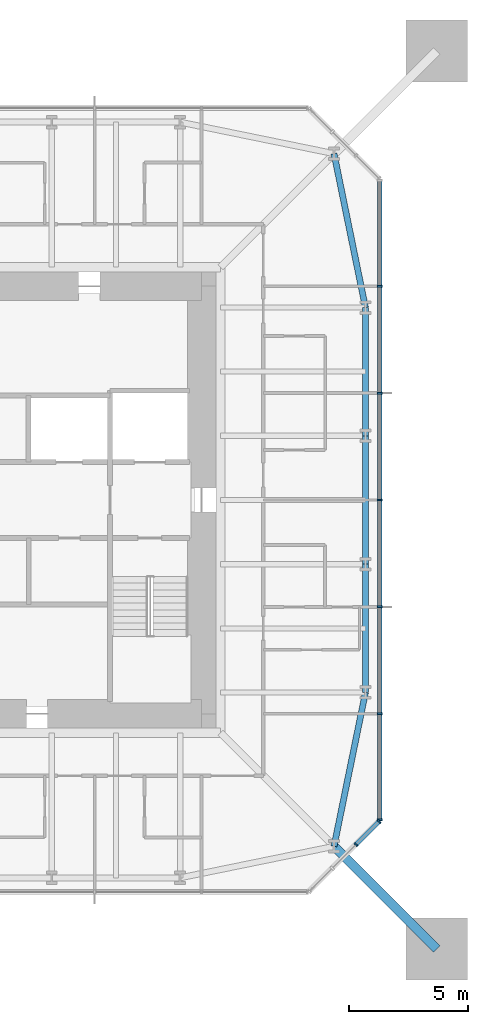
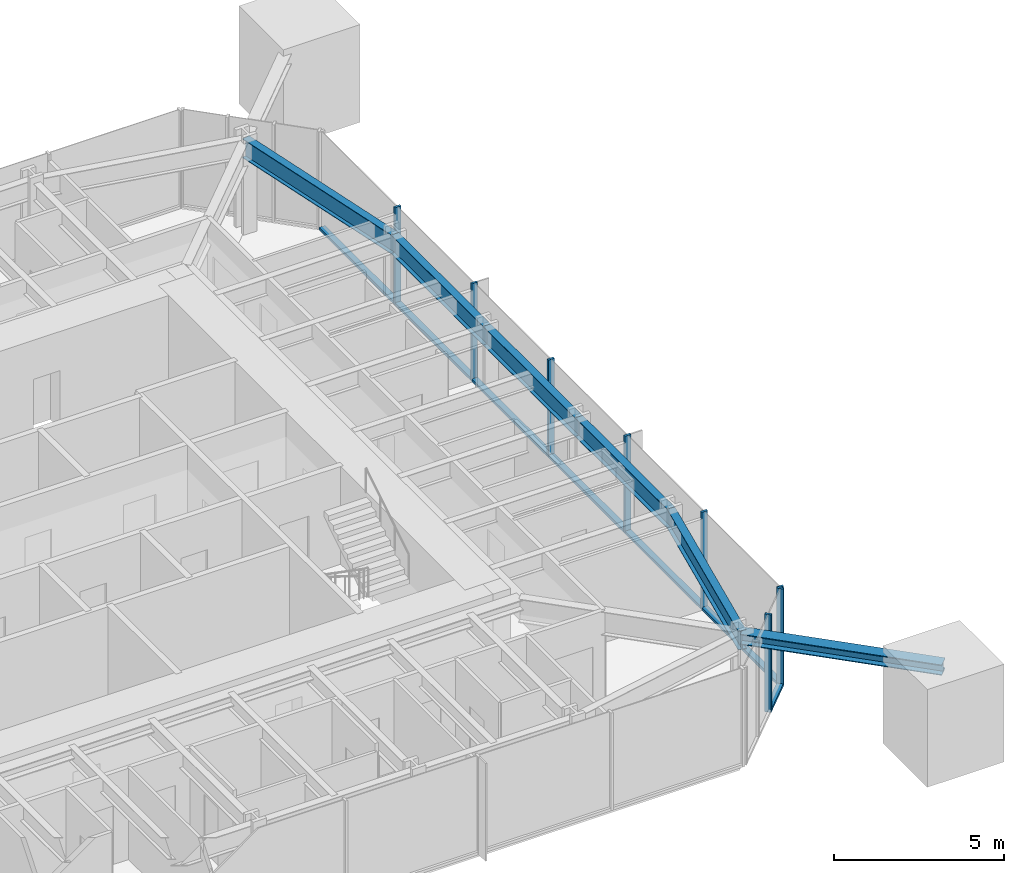
# One storey, part 3 of 10: 16 members, 5 beams, 2 elements without a shape of their own.
"""IFC4 building model written with IfcOpenShell, lengths in metres."""

from ifc_helpers import new_model, si_unit, direction, frame, origin, origin_2d, place, context, subcontext, project, spatial, rectangle, i_section, extrude, material, material_profile, profile_set, type_object, element, aggregate, save


model = new_model("IFC4")

# Units and contexts
model_context = context("Model", 3, precision=1e-05, world=origin(), true_north=direction((0.0, 1.0)))
body_context = subcontext(model_context, "Body", "Model", "MODEL_VIEW")
ifc_project = project(units=[si_unit("LENGTHUNIT", "METRE"), si_unit("AREAUNIT", "SQUARE_METRE"), si_unit("VOLUMEUNIT", "CUBIC_METRE"), si_unit("PLANEANGLEUNIT", "RADIAN"), si_unit("MASSUNIT", "GRAM", prefix="KILO")], contexts=[model_context])

# Site, building, storey
site_placement = place(None, origin())
site = spatial("IfcSite", under=ifc_project, at=site_placement, CompositionType="ELEMENT")
building_placement = place(site_placement, origin())
building = spatial("IfcBuilding", under=site, at=building_placement, Name="Iwan Alto Co-Living Towers", CompositionType="ELEMENT")
storey_placement = place(building_placement, frame((0.0, 0.0, 218.5)))
storey = spatial("IfcBuildingStorey", under=building, at=storey_placement, Name="L59", CompositionType="ELEMENT", Elevation=218.5)

# Curtain wall, members
ifc_material_1 = material(Name="Bronze aluminium unitised frame", Category="aluminium")
curtain_wall_type_1 = type_object("IfcCurtainWallType", Name="CURTAIN WALL CW-A", PredefinedType="NOTDEFINED", material=ifc_material_1)
curtain_wall_1_placement = place(storey_placement, origin())
curtain_wall_1 = element("IfcCurtainWall", 1, at=curtain_wall_1_placement, inside=storey, type_object=curtain_wall_type_1, Name="T1 curtain wall E L59", PredefinedType="NOTDEFINED")
ifc_material_2 = material(Name="Aluminium 6063-T6 bronze anodised", Category="aluminium")
ifc_material_profile_1 = material_profile(ifc_material_2, rectangle(XDim=0.199951171875, YDim=0.080078125, at=origin_2d()), Name="AL 80X200")
ifc_profile_set_1 = profile_set([ifc_material_profile_1], Name="Aluminium 6063-T6 bronze anodised")
member_type_1 = type_object("IfcMemberType", Name="CW-A MULLION 80X200", PredefinedType="MULLION", material=ifc_profile_set_1)
member_1_placement = place(storey_placement, frame((16.5, -13.4599609375, 0.0), z_axis=(0.0, 0.0, 1.0), x_axis=(-1.0, 0.0, 0.0)))
member_1 = element("IfcMember", 2, at=member_1_placement, type_object=member_type_1, Name="CW-A mullion 1", PredefinedType="MULLION", context=body_context, shape_type="SweptSolid", body=[
    extrude(rectangle(XDim=0.199951171875, YDim=0.080078125, at=origin_2d()), origin(), (0.0, 0.0, 1.0), 3.5),
])
member_2_placement = place(storey_placement, frame((16.5, -9.0, 0.0), z_axis=(0.0, 0.0, 1.0), x_axis=(-1.0, 0.0, 0.0)))
member_2 = element("IfcMember", 3, at=member_2_placement, type_object=member_type_1, Name="CW-A mullion 2", PredefinedType="MULLION", context=body_context, shape_type="SweptSolid", body=[
    extrude(rectangle(XDim=0.199951171875, YDim=0.080078125, at=origin_2d()), origin(), (0.0, 0.0, 1.0), 3.5),
])
member_3_placement = place(storey_placement, frame((16.5, -4.5, 0.0), z_axis=(0.0, 0.0, 1.0), x_axis=(-1.0, 0.0, 0.0)))
member_3 = element("IfcMember", 4, at=member_3_placement, type_object=member_type_1, Name="CW-A mullion 3", PredefinedType="MULLION", context=body_context, shape_type="SweptSolid", body=[
    extrude(rectangle(XDim=0.199951171875, YDim=0.080078125, at=origin_2d()), origin(), (0.0, 0.0, 1.0), 3.5),
])
member_4_placement = place(storey_placement, frame((16.5, 0.0, 0.0), z_axis=(0.0, 0.0, 1.0), x_axis=(-1.0, 0.0, 0.0)))
member_4 = element("IfcMember", 5, at=member_4_placement, type_object=member_type_1, Name="CW-A mullion 4", PredefinedType="MULLION", context=body_context, shape_type="SweptSolid", body=[
    extrude(rectangle(XDim=0.199951171875, YDim=0.080078125, at=origin_2d()), origin(), (0.0, 0.0, 1.0), 3.5),
])
member_5_placement = place(storey_placement, frame((16.5, 4.5, 0.0), z_axis=(0.0, 0.0, 1.0), x_axis=(-1.0, 0.0, 0.0)))
member_5 = element("IfcMember", 6, at=member_5_placement, type_object=member_type_1, Name="CW-A mullion 5", PredefinedType="MULLION", context=body_context, shape_type="SweptSolid", body=[
    extrude(rectangle(XDim=0.199951171875, YDim=0.080078125, at=origin_2d()), origin(), (0.0, 0.0, 1.0), 3.5),
])
member_6_placement = place(storey_placement, frame((16.5, 9.0, 0.0), z_axis=(0.0, 0.0, 1.0), x_axis=(-1.0, 0.0, 0.0)))
member_6 = element("IfcMember", 7, at=member_6_placement, type_object=member_type_1, Name="CW-A mullion 6", PredefinedType="MULLION", context=body_context, shape_type="SweptSolid", body=[
    extrude(rectangle(XDim=0.199951171875, YDim=0.080078125, at=origin_2d()), origin(), (0.0, 0.0, 1.0), 3.5),
])
ifc_material_3 = material(Name="Aluminium 6063-T6 bronze anodised", Category="aluminium")
ifc_material_profile_2 = material_profile(ifc_material_3, rectangle(XDim=0.199951171875, YDim=0.10009765625, at=origin_2d()), Name="AL 200X100")
ifc_profile_set_2 = profile_set([ifc_material_profile_2], Name="Aluminium 6063-T6 bronze anodised")
member_type_2 = type_object("IfcMemberType", Name="CW-A TRANSOM 200X100", PredefinedType="USERDEFINED", material=ifc_profile_set_2)
member_7_placement = place(storey_placement, frame((16.5, -13.419921875, 0.050048828125), z_axis=(0.0, 1.0, 0.0), x_axis=(-1.0, 0.0, 0.0)))
member_7 = element("IfcMember", 8, at=member_7_placement, type_object=member_type_2, Name="CW-A transom 1.1", ObjectType="TRANSOM", PredefinedType="USERDEFINED", context=body_context, shape_type="SweptSolid", body=[
    extrude(rectangle(XDim=0.199951171875, YDim=0.10009765625, at=origin_2d()), origin(), (0.0, 0.0, 1.0), 4.3798828125),
])
member_8_placement = place(storey_placement, frame((16.5, -8.9599609375, 0.050048828125), z_axis=(0.0, 1.0, 0.0), x_axis=(-1.0, 0.0, 0.0)))
member_8 = element("IfcMember", 9, at=member_8_placement, type_object=member_type_2, Name="CW-A transom 2.1", ObjectType="TRANSOM", PredefinedType="USERDEFINED", context=body_context, shape_type="SweptSolid", body=[
    extrude(rectangle(XDim=0.199951171875, YDim=0.10009765625, at=origin_2d()), origin(), (0.0, 0.0, 1.0), 4.419921875),
])
member_9_placement = place(storey_placement, frame((16.5, -4.4599609375, 0.050048828125), z_axis=(0.0, 1.0, 0.0), x_axis=(-1.0, 0.0, 0.0)))
member_9 = element("IfcMember", 10, at=member_9_placement, type_object=member_type_2, Name="CW-A transom 3.1", ObjectType="TRANSOM", PredefinedType="USERDEFINED", context=body_context, shape_type="SweptSolid", body=[
    extrude(rectangle(XDim=0.199951171875, YDim=0.10009765625, at=origin_2d()), origin(), (0.0, 0.0, 1.0), 4.419921875),
])
member_10_placement = place(storey_placement, frame((16.5, 0.0400390625, 0.050048828125), z_axis=(0.0, 1.0, 0.0), x_axis=(-1.0, 0.0, 0.0)))
member_10 = element("IfcMember", 11, at=member_10_placement, type_object=member_type_2, Name="CW-A transom 4.1", ObjectType="TRANSOM", PredefinedType="USERDEFINED", context=body_context, shape_type="SweptSolid", body=[
    extrude(rectangle(XDim=0.199951171875, YDim=0.10009765625, at=origin_2d()), origin(), (0.0, 0.0, 1.0), 4.419921875),
])
member_11_placement = place(storey_placement, frame((16.5, 4.5400390625, 0.050048828125), z_axis=(0.0, 1.0, 0.0), x_axis=(-1.0, 0.0, 0.0)))
member_11 = element("IfcMember", 12, at=member_11_placement, type_object=member_type_2, Name="CW-A transom 5.1", ObjectType="TRANSOM", PredefinedType="USERDEFINED", context=body_context, shape_type="SweptSolid", body=[
    extrude(rectangle(XDim=0.199951171875, YDim=0.10009765625, at=origin_2d()), origin(), (0.0, 0.0, 1.0), 4.419921875),
])
member_12_placement = place(storey_placement, frame((16.5, 9.0400390625, 0.050048828125), z_axis=(0.0, 1.0, 0.0), x_axis=(-1.0, 0.0, 0.0)))
member_12 = element("IfcMember", 13, at=member_12_placement, type_object=member_type_2, Name="CW-A transom 6.1", ObjectType="TRANSOM", PredefinedType="USERDEFINED", context=body_context, shape_type="SweptSolid", body=[
    extrude(rectangle(XDim=0.199951171875, YDim=0.10009765625, at=origin_2d()), origin(), (0.0, 0.0, 1.0), 4.3798828125),
])
aggregate(curtain_wall_1, [member_1, member_2, member_3, member_4, member_5, member_6, member_7, member_8, member_9, member_10, member_11, member_12])

ifc_material_4 = material(Name="Bronze aluminium unitised frame", Category="aluminium")
curtain_wall_type_2 = type_object("IfcCurtainWallType", Name="CURTAIN WALL CW-B", PredefinedType="NOTDEFINED", material=ifc_material_4)
curtain_wall_2_placement = place(storey_placement, origin())
curtain_wall_2 = element("IfcCurtainWall", 14, at=curtain_wall_2_placement, inside=storey, type_object=curtain_wall_type_2, Name="T1 chamfer curtain wall SE L59", PredefinedType="NOTDEFINED")
ifc_material_5 = material(Name="Aluminium 6063-T6 bronze anodised", Category="aluminium")
ifc_material_profile_3 = material_profile(ifc_material_5, rectangle(XDim=0.199951171875, YDim=0.080078125, at=origin_2d()), Name="AL 80X200")
ifc_profile_set_3 = profile_set([ifc_material_profile_3], Name="Aluminium 6063-T6 bronze anodised")
member_type_3 = type_object("IfcMemberType", Name="CW-B MULLION 80X200", PredefinedType="MULLION", material=ifc_profile_set_3)
member_13_placement = place(storey_placement, frame((15.5, -14.5, 0.0), z_axis=(0.0, 0.0, 1.0), x_axis=(-0.707106781187, 0.707106781187, 0.0)))
member_13 = element("IfcMember", 15, at=member_13_placement, type_object=member_type_3, Name="CW-B mullion 3", PredefinedType="MULLION", context=body_context, shape_type="SweptSolid", body=[
    extrude(rectangle(XDim=0.199951171875, YDim=0.080078125, at=origin_2d()), origin(), (0.0, 0.0, 1.0), 3.5),
])
member_14_placement = place(storey_placement, frame((16.4716796875, -13.5283203125, 0.0), z_axis=(0.0, 0.0, 1.0), x_axis=(-0.707106781187, 0.707106781187, 0.0)))
member_14 = element("IfcMember", 16, at=member_14_placement, type_object=member_type_3, Name="CW-B mullion 4", PredefinedType="MULLION", context=body_context, shape_type="SweptSolid", body=[
    extrude(rectangle(XDim=0.199951171875, YDim=0.080078125, at=origin_2d()), origin(), (0.0, 0.0, 1.0), 3.5),
])
ifc_material_6 = material(Name="Aluminium 6063-T6 bronze anodised", Category="aluminium")
ifc_material_profile_4 = material_profile(ifc_material_6, rectangle(XDim=0.199951171875, YDim=0.10009765625, at=origin_2d()), Name="AL 200X100")
ifc_profile_set_4 = profile_set([ifc_material_profile_4], Name="Aluminium 6063-T6 bronze anodised")
member_type_4 = type_object("IfcMemberType", Name="CW-B TRANSOM 200X100", PredefinedType="USERDEFINED", material=ifc_profile_set_4)
member_15_placement = place(storey_placement, frame((15.5283203125, -14.4716796875, 0.050048828125), z_axis=(0.707106781187, 0.707106781187, 0.0), x_axis=(-0.707106781187, 0.707106781187, 0.0)))
member_15 = element("IfcMember", 17, at=member_15_placement, type_object=member_type_4, Name="CW-B transom 3.1", ObjectType="TRANSOM", PredefinedType="USERDEFINED", context=body_context, shape_type="SweptSolid", body=[
    extrude(rectangle(XDim=0.199951171875, YDim=0.10009765625, at=origin_2d()), origin(), (0.0, 0.0, 1.0), 1.2939453125),
])
aggregate(curtain_wall_2, [member_13, member_14, member_15])

# Beams
ifc_material_7 = material(Name="Steel ASTM A992 Gr 50", Category="steel")
ifc_material_profile_5 = material_profile(ifc_material_7, i_section(OverallWidth=0.25390625, OverallDepth=0.683349609375, WebThickness=0.012451171875, FlangeThickness=0.018798828125, at=origin_2d()), Name="W27X94")
ifc_profile_set_5 = profile_set([ifc_material_profile_5], Name="Steel ASTM A992 Gr 50")
beam_type = type_object("IfcBeamType", Name="T1 EDGE BEAM W27X94", PredefinedType="BEAM", material=ifc_profile_set_5)
beam_1_placement = place(storey_placement, frame((14.57568359375, -14.57568359375, 2.928466796875), z_axis=(0.200347889618, 0.979724820103, 0.0), x_axis=(-0.979724820103, 0.200347889618, 0.0)))
element("IfcBeam", 18, at=beam_1_placement, inside=storey, type_object=beam_type, Name="T1 edge beam CSE L60", PredefinedType="BEAM", context=body_context, shape_type="SweptSolid", body=[
    extrude(i_section(OverallWidth=0.25390625, OverallDepth=0.683349609375, WebThickness=0.012451171875, FlangeThickness=0.018798828125, at=origin_2d()), origin(), (0.0, 0.0, 1.0), 6.609619140625),
])
beam_2_placement = place(storey_placement, frame((15.89990234375, -8.10009765625, 2.928466796875), z_axis=(0.0, 1.0, 0.0), x_axis=(-1.0, 0.0, 0.0)))
element("IfcBeam", 19, at=beam_2_placement, inside=storey, type_object=beam_type, Name="T1 edge beam E1 L60", PredefinedType="BEAM", context=body_context, shape_type="SweptSolid", body=[
    extrude(i_section(OverallWidth=0.25390625, OverallDepth=0.683349609375, WebThickness=0.012451171875, FlangeThickness=0.018798828125, at=origin_2d()), origin(), (0.0, 0.0, 1.0), 5.400146484375),
])
beam_3_placement = place(storey_placement, frame((15.89990234375, -2.699951171875, 2.928466796875), z_axis=(0.0, 1.0, 0.0), x_axis=(-1.0, 0.0, 0.0)))
element("IfcBeam", 20, at=beam_3_placement, inside=storey, type_object=beam_type, Name="T1 edge beam E2 L60", PredefinedType="BEAM", context=body_context, shape_type="SweptSolid", body=[
    extrude(i_section(OverallWidth=0.25390625, OverallDepth=0.683349609375, WebThickness=0.012451171875, FlangeThickness=0.018798828125, at=origin_2d()), origin(), (0.0, 0.0, 1.0), 5.39990234375),
])
beam_4_placement = place(storey_placement, frame((15.89990234375, 2.699951171875, 2.928466796875), z_axis=(0.0, 1.0, 0.0), x_axis=(-1.0, 0.0, 0.0)))
element("IfcBeam", 21, at=beam_4_placement, inside=storey, type_object=beam_type, Name="T1 edge beam E3 L60", PredefinedType="BEAM", context=body_context, shape_type="SweptSolid", body=[
    extrude(i_section(OverallWidth=0.25390625, OverallDepth=0.683349609375, WebThickness=0.012451171875, FlangeThickness=0.018798828125, at=origin_2d()), origin(), (0.0, 0.0, 1.0), 5.400146484375),
])
beam_5_placement = place(storey_placement, frame((15.89990234375, 8.10009765625, 2.928466796875), z_axis=(-0.200347889618, 0.979724820103, 0.0), x_axis=(-0.979724820103, -0.200347889618, 0.0)))
element("IfcBeam", 22, at=beam_5_placement, inside=storey, type_object=beam_type, Name="T1 edge beam E4 L60", PredefinedType="BEAM", context=body_context, shape_type="SweptSolid", body=[
    extrude(i_section(OverallWidth=0.25390625, OverallDepth=0.683349609375, WebThickness=0.012451171875, FlangeThickness=0.018798828125, at=origin_2d()), origin(), (0.0, 0.0, 1.0), 6.609619140625),
])

# Member
ifc_material_8 = material(Name="Steel ASTM A992 Gr 50", Category="steel")
ifc_material_profile_6 = material_profile(ifc_material_8, i_section(OverallWidth=0.393798828125, OverallDepth=0.3759765625, WebThickness=0.017333984375, FlangeThickness=0.027587890625, at=origin_2d()), Name="W14X145")
ifc_profile_set_6 = profile_set([ifc_material_profile_6], Name="Steel ASTM A992 Gr 50")
member_type_5 = type_object("IfcMemberType", Name="T1 MEGA COLUMN FLOOR TIE W14X145", PredefinedType="STRUT", material=ifc_profile_set_6)
member_16_placement = place(storey_placement, frame((18.89990234375, -18.89990234375, 3.08203125), z_axis=(-0.707106781187, 0.707106781187, 0.0), x_axis=(-0.707106781187, -0.707106781187, 0.0)))
element("IfcMember", 23, at=member_16_placement, inside=storey, type_object=member_type_5, Name="T1 mega column floor tie SE L60", PredefinedType="STRUT", context=body_context, shape_type="SweptSolid", body=[
    extrude(i_section(OverallWidth=0.393798828125, OverallDepth=0.3759765625, WebThickness=0.017333984375, FlangeThickness=0.027587890625, at=origin_2d()), origin(), (0.0, 0.0, 1.0), 6.115478515625),
])

save(model, "model.ifc")
